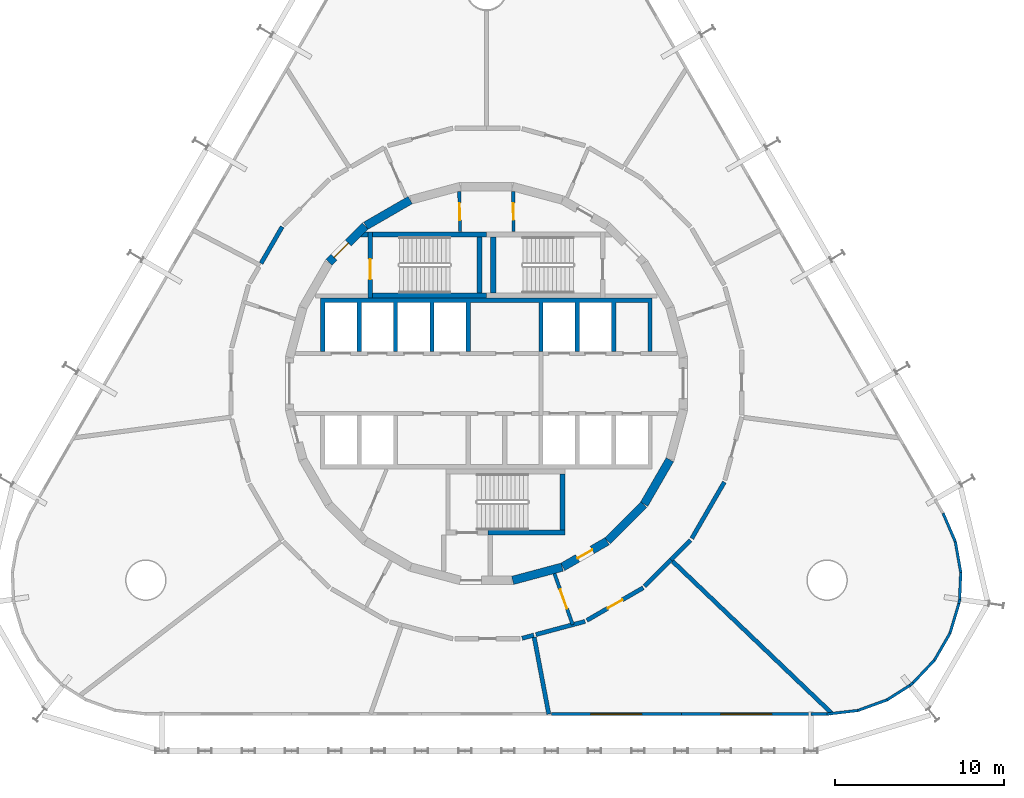
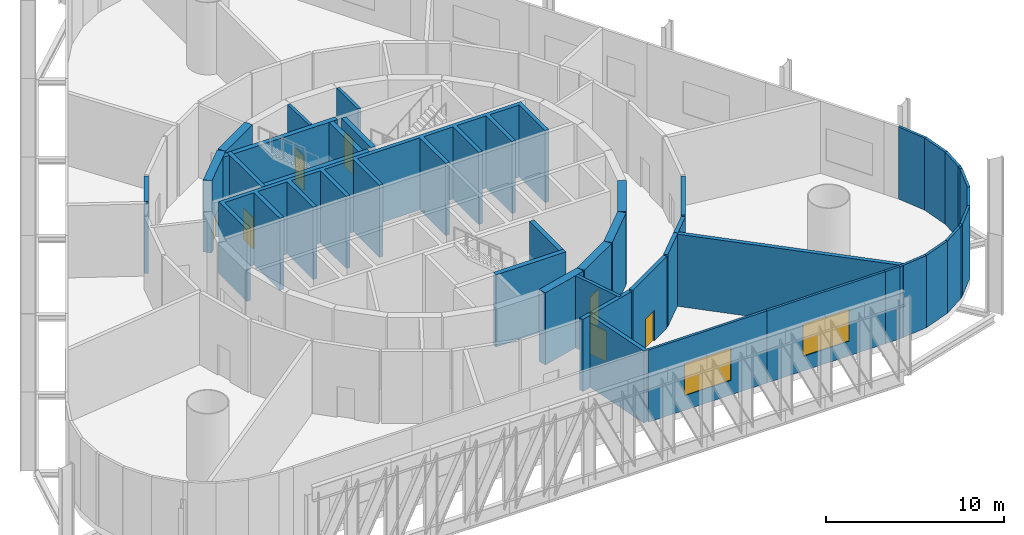
# One storey, part 7 of 11: 41 walls, 7 doors, 2 windows, 9 openings.
"""IFC4 building model written with IfcOpenShell, lengths in metres."""

from ifc_helpers import new_model, si_unit, direction, frame, frame_2d, origin, place, context, subcontext, project, spatial, polyline, rectangle, outline, extrude, material, layer, layer_set, type_object, element, fill, save


model = new_model("IFC4")

# Units and contexts
model_context = context("Model", 3, precision=1e-05, world=origin(), true_north=direction((0.0, 1.0)))
body_context = subcontext(model_context, "Body", "Model", "MODEL_VIEW")
ifc_project = project(units=[si_unit("LENGTHUNIT", "METRE"), si_unit("AREAUNIT", "SQUARE_METRE"), si_unit("VOLUMEUNIT", "CUBIC_METRE"), si_unit("PLANEANGLEUNIT", "RADIAN"), si_unit("MASSUNIT", "GRAM", prefix="KILO")], contexts=[model_context])

# Site, building, storey
site_placement = place(None, origin())
site = spatial("IfcSite", under=ifc_project, at=site_placement, CompositionType="ELEMENT")
building_placement = place(site_placement, origin())
building = spatial("IfcBuilding", under=site, at=building_placement, Name="Spindle Arch Residences", CompositionType="ELEMENT")
storey_placement = place(building_placement, frame((0.0, 0.0, 33.0)))
storey = spatial("IfcBuildingStorey", under=building, at=storey_placement, Name="L06", CompositionType="ELEMENT", Elevation=33.0)

# Wall
ifc_material_1 = material(Name="Concrete C50/60", Category="concrete")
ifc_layer_1 = layer(ifc_material_1, 0.5)
ifc_layer_set_1 = layer_set([ifc_layer_1], Name="Core outline wall 500")
wall_type_1 = type_object("IfcWallType", Name="Core outline wall 500", PredefinedType="SHEAR", material=ifc_layer_set_1)
wall_1_placement = place(storey_placement, frame((1.5498046875, -11.642822265625, 0.0), z_axis=(0.0, 0.0, 1.0), x_axis=(0.965948410781, 0.258734743916, 0.0)))
element("IfcWall", 1, at=wall_1_placement, inside=storey, type_object=wall_type_1, Name="Core outline wall 1", PredefinedType="SHEAR", context=body_context, shape_type="SweptSolid", body=[
    extrude(rectangle(XDim=3.03271484375, YDim=0.5, at=frame_2d((1.516357421875, 0.0))), origin(), (0.0, 0.0, 1.0), 4.949951171875),
])

# Wall, opening, door
wall_2_placement = place(storey_placement, frame((4.510498046875, -10.84521484375, 0.0), z_axis=(0.0, 0.0, 1.0), x_axis=(0.865975092491, 0.500087131594, 0.0)))
wall_2 = element("IfcWall", 2, at=wall_2_placement, inside=storey, type_object=wall_type_1, Name="Core outline wall 2", PredefinedType="SHEAR", context=body_context, shape_type="SweptSolid", body=[
    extrude(rectangle(XDim=3.03271484375, YDim=0.5, at=frame_2d((1.516357421875, 0.0))), origin(), (0.0, 0.0, 1.0), 4.949951171875),
])
opening_1_placement = place(wall_2_placement, frame((1.016357421875, 0.0, 0.0)))
opening_1 = element("IfcOpeningElement", 3, at=opening_1_placement, cuts=wall_2, Name="Opening L06-PD09", PredefinedType="OPENING", context=body_context, shape_type="SweptSolid", body=[
    extrude(rectangle(XDim=1.0, YDim=2.39990234375, at=frame_2d((0.5, 1.199951171875))), frame((0.0, 0.260009765625, 0.0), z_axis=(0.0, -1.0, 0.0), x_axis=(1.0, 0.0, 0.0)), (0.0, 0.0, 1.0), 0.52001953125),
])
ifc_material_2 = material(Name="Steel, fire-resisting door", Category="steel")
door_type_1 = type_object("IfcDoorType", Name="Plant room door 1000x2400", OperationType="SINGLE_SWING_LEFT", PredefinedType="DOOR", material=ifc_material_2)
door_1_placement = place(opening_1_placement, origin())
door_1 = element("IfcDoor", 4, at=door_1_placement, inside=storey, type_object=door_type_1, Name="Plant room door L06-PD09", OperationType="SINGLE_SWING_RIGHT", OverallHeight=2.39990234375, OverallWidth=1.0, PredefinedType="DOOR", context=body_context, shape_type="SweptSolid", body=[
    extrude(rectangle(XDim=1.0, YDim=2.39990234375, at=frame_2d((0.5, 1.199951171875))), frame((0.0, 0.02490234375, 0.0), z_axis=(0.0, -1.0, 0.0), x_axis=(1.0, 0.0, 0.0)), (0.0, 0.0, 1.0), 0.050048828125),
])
fill(opening_1, door_1)

# Walls
wall_3_placement = place(storey_placement, frame((7.163818359375, -9.30810546875, 0.0), z_axis=(0.0, 0.0, 1.0), x_axis=(0.707106781187, 0.707106781187, 0.0)))
element("IfcWall", 5, at=wall_3_placement, inside=storey, type_object=wall_type_1, Name="Core outline wall 3", PredefinedType="SHEAR", context=body_context, shape_type="SweptSolid", body=[
    extrude(rectangle(XDim=3.032470703125, YDim=0.5, at=frame_2d((1.51611328125, 0.0))), origin(), (0.0, 0.0, 1.0), 4.949951171875),
])
for number, where, z_axis, x_axis, name in (
    (6, (9.32861328125, -7.13671875, 0.0), (0.0, 0.0, 1.0), (0.500087131594, 0.865975092491, 0.0), "Core outline wall 4"),
    (7, (-4.510498046875, 10.84521484375, 0.0), (0.0, 0.0, 1.0), (-0.865975092491, -0.500087131594, 0.0), "Core outline wall 14"),
):
    element("IfcWall", number, at=place(storey_placement, frame(where, z_axis=z_axis, x_axis=x_axis)), inside=storey, type_object=wall_type_1, Name=name, PredefinedType="SHEAR", context=body_context, shape_type="SweptSolid", body=[
        extrude(rectangle(XDim=3.03271484375, YDim=0.5, at=frame_2d((1.516357421875, 0.0))), origin(), (0.0, 0.0, 1.0), 4.949951171875),
    ])

# Wall, opening, door
wall_4_placement = place(storey_placement, frame((-7.163818359375, 9.30810546875, 0.0), z_axis=(0.0, 0.0, 1.0), x_axis=(-0.707106781187, -0.707106781187, 0.0)))
wall_4 = element("IfcWall", 8, at=wall_4_placement, inside=storey, type_object=wall_type_1, Name="Core outline wall 15", PredefinedType="SHEAR", context=body_context, shape_type="SweptSolid", body=[
    extrude(rectangle(XDim=3.032470703125, YDim=0.5, at=frame_2d((1.51611328125, 0.0))), origin(), (0.0, 0.0, 1.0), 4.949951171875),
])
opening_2_placement = place(wall_4_placement, frame((1.416259765625, 0.0, 0.0)))
opening_2 = element("IfcOpeningElement", 9, at=opening_2_placement, cuts=wall_4, Name="Opening L06-AD02", PredefinedType="OPENING", context=body_context, shape_type="SweptSolid", body=[
    extrude(rectangle(XDim=1.199951171875, YDim=2.10009765625, at=frame_2d((0.60009765625, 1.050048828125))), frame((0.0, 0.260009765625, 0.0), z_axis=(0.0, -1.0, 0.0), x_axis=(1.0, 0.0, 0.0)), (0.0, 0.0, 1.0), 0.52001953125),
])
ifc_material_3 = material(Name="Steel, fire-resisting door", Category="steel")
door_type_2 = type_object("IfcDoorType", Name="Stair airlock door 1200x2100", OperationType="SINGLE_SWING_LEFT", PredefinedType="DOOR", material=ifc_material_3)
door_2_placement = place(opening_2_placement, origin())
door_2 = element("IfcDoor", 10, at=door_2_placement, inside=storey, type_object=door_type_2, Name="Stair airlock door L06-AD02", OperationType="SINGLE_SWING_RIGHT", OverallHeight=2.10009765625, OverallWidth=1.199951171875, PredefinedType="DOOR", context=body_context, shape_type="SweptSolid", body=[
    extrude(rectangle(XDim=1.199951171875, YDim=2.10009765625, at=frame_2d((0.60009765625, 1.050048828125))), frame((0.0, 0.02490234375, 0.0), z_axis=(0.0, -1.0, 0.0), x_axis=(1.0, 0.0, 0.0)), (0.0, 0.0, 1.0), 0.050048828125),
])
fill(opening_2, door_2)

# Wall, opening, window
ifc_material_4 = material(Name="Non-combustible mineral wool insulated aluminium faced external wall (K0)", Category="aluminium")
ifc_layer_2 = layer(ifc_material_4, 0.159912109375)
ifc_layer_set_2 = layer_set([ifc_layer_2], Name="Insulated external wall panel 160")
wall_type_2 = type_object("IfcWallType", Name="Insulated external wall panel 160", PredefinedType="STANDARD", material=ifc_layer_set_2)
wall_5_placement = place(storey_placement, frame((3.840087890625, -19.5498046875, 0.0), z_axis=(0.0, 0.0, 1.0), x_axis=(1.0, 0.0, 0.0)))
wall_5 = element("IfcWall", 11, at=wall_5_placement, inside=storey, type_object=wall_type_2, Name="Plant wall L06 bay 1", PredefinedType="STANDARD", context=body_context, shape_type="SweptSolid", body=[
    extrude(rectangle(XDim=7.679931640625, YDim=0.159912109375, at=frame_2d((3.83984375, 0.0))), origin(), (0.0, 0.0, 1.0), 4.949951171875),
])
opening_3_placement = place(wall_5_placement, frame((2.340087890625, 0.0, 1.0)))
opening_3 = element("IfcOpeningElement", 12, at=opening_3_placement, cuts=wall_5, Name="Opening LW1", PredefinedType="OPENING", context=body_context, shape_type="SweptSolid", body=[
    extrude(rectangle(XDim=3.0, YDim=2.199951171875, at=frame_2d((1.5, 1.10009765625))), frame((0.0, 0.08984375, 0.0), z_axis=(0.0, -1.0, 0.0), x_axis=(1.0, 0.0, 0.0)), (0.0, 0.0, 1.0), 0.179931640625),
])
ifc_material_5 = material(Name="Bronze anodised aluminium fixed louvre", Category="aluminium")
window_type = type_object("IfcWindowType", Name="Plant louvre opening 3000x2200", PartitioningType="SINGLE_PANEL", PredefinedType="WINDOW", material=ifc_material_5)
window_1_placement = place(opening_3_placement, origin())
window_1 = element("IfcWindow", 13, at=window_1_placement, inside=storey, type_object=window_type, Name="Louvre opening L06 bay 1.1", OverallHeight=2.199951171875, OverallWidth=3.0, PartitioningType="SINGLE_PANEL", PredefinedType="WINDOW", context=body_context, shape_type="SweptSolid", body=[
    extrude(rectangle(XDim=3.0, YDim=2.199951171875, at=frame_2d((1.5, 1.10009765625))), frame((0.0, 0.030029296875, 0.0), z_axis=(0.0, -1.0, 0.0), x_axis=(1.0, 0.0, 0.0)), (0.0, 0.0, 1.0), 0.06005859375),
])
fill(opening_3, window_1)

wall_6_placement = place(storey_placement, frame((11.52001953125, -19.5498046875, 0.0), z_axis=(0.0, 0.0, 1.0), x_axis=(1.0, 0.0, 0.0)))
wall_6 = element("IfcWall", 14, at=wall_6_placement, inside=storey, type_object=wall_type_2, Name="Plant wall L06 bay 2", PredefinedType="STANDARD", context=body_context, shape_type="SweptSolid", body=[
    extrude(rectangle(XDim=7.68017578125, YDim=0.159912109375, at=frame_2d((3.840087890625, 0.0))), origin(), (0.0, 0.0, 1.0), 4.949951171875),
])
opening_4_placement = place(wall_6_placement, frame((2.340087890625, 0.0, 1.0)))
opening_4 = element("IfcOpeningElement", 15, at=opening_4_placement, cuts=wall_6, Name="Opening LW1", PredefinedType="OPENING", context=body_context, shape_type="SweptSolid", body=[
    extrude(rectangle(XDim=3.0, YDim=2.199951171875, at=frame_2d((1.5, 1.10009765625))), frame((0.0, 0.08984375, 0.0), z_axis=(0.0, -1.0, 0.0), x_axis=(1.0, 0.0, 0.0)), (0.0, 0.0, 1.0), 0.179931640625),
])
window_2_placement = place(opening_4_placement, origin())
window_2 = element("IfcWindow", 16, at=window_2_placement, inside=storey, type_object=window_type, Name="Louvre opening L06 bay 2.1", OverallHeight=2.199951171875, OverallWidth=3.0, PartitioningType="SINGLE_PANEL", PredefinedType="WINDOW", context=body_context, shape_type="SweptSolid", body=[
    extrude(rectangle(XDim=3.0, YDim=2.199951171875, at=frame_2d((1.5, 1.10009765625))), frame((0.0, 0.030029296875, 0.0), z_axis=(0.0, -1.0, 0.0), x_axis=(1.0, 0.0, 0.0)), (0.0, 0.0, 1.0), 0.06005859375),
])
fill(opening_4, window_2)

# Walls
wall_7_placement = place(storey_placement, frame((19.2001953125, -19.5498046875, 0.0), z_axis=(0.0, 0.0, 1.0), x_axis=(1.0, 0.0, 0.0)))
element("IfcWall", 17, at=wall_7_placement, inside=storey, type_object=wall_type_2, Name="Plant wall L06 bay 3.1", PredefinedType="STANDARD", context=body_context, shape_type="SweptSolid", body=[
    extrude(rectangle(XDim=0.94580078125, YDim=0.159912109375, at=frame_2d((0.472900390625, 0.0))), origin(), (0.0, 0.0, 1.0), 4.949951171875),
])
wall_8_placement = place(storey_placement, frame((20.141357421875, -19.55029296875, 0.0), z_axis=(0.0, 0.0, 1.0), x_axis=(0.993233418606, 0.116135163342, 0.0)))
element("IfcWall", 18, at=wall_8_placement, inside=storey, type_object=wall_type_2, Name="Plant wall L06 bay 3.2", PredefinedType="STANDARD", context=body_context, shape_type="SweptSolid", body=[
    extrude(rectangle(XDim=1.845703125, YDim=0.159912109375, at=frame_2d((0.9228515625, 0.0))), origin(), (0.0, 0.0, 1.0), 4.949951171875),
])
wall_9_placement = place(storey_placement, frame((21.9658203125, -19.337890625, 0.0), z_axis=(0.0, 0.0, 1.0), x_axis=(0.939716242701, 0.341955235673, 0.0)))
element("IfcWall", 19, at=wall_9_placement, inside=storey, type_object=wall_type_2, Name="Plant wall L06 bay 3.3", PredefinedType="STANDARD", context=body_context, shape_type="SweptSolid", body=[
    extrude(rectangle(XDim=1.84765625, YDim=0.159912109375, at=frame_2d((0.923828125, 0.0))), origin(), (0.0, 0.0, 1.0), 4.949951171875),
])
wall_10_placement = place(storey_placement, frame((23.6943359375, -18.709716796875, 0.0), z_axis=(0.0, 0.0, 1.0), x_axis=(0.844000986035, 0.536341622076, 0.0)))
element("IfcWall", 20, at=wall_10_placement, inside=storey, type_object=wall_type_2, Name="Plant wall L06 bay 3.4", PredefinedType="STANDARD", context=body_context, shape_type="SweptSolid", body=[
    extrude(rectangle(XDim=1.59814453125, YDim=0.159912109375, at=frame_2d((0.799072265625, 0.0))), origin(), (0.0, 0.0, 1.0), 4.949951171875),
])
wall_11_placement = place(storey_placement, frame((25.043212890625, -17.8525390625, 0.0), z_axis=(0.0, 0.0, 1.0), x_axis=(0.775874220568, 0.630887623795, 0.0)))
element("IfcWall", 21, at=wall_11_placement, inside=storey, type_object=wall_type_2, Name="Plant wall L06 bay 4.1", PredefinedType="STANDARD", context=body_context, shape_type="SweptSolid", body=[
    extrude(rectangle(XDim=0.249267578125, YDim=0.159912109375, at=frame_2d((0.12451171875, 0.0))), origin(), (0.0, 0.0, 1.0), 4.949951171875),
])
wall_12_placement = place(storey_placement, frame((25.232666015625, -17.698974609375, 0.0), z_axis=(0.0, 0.0, 1.0), x_axis=(0.686176861491, 0.727434749482, 0.0)))
element("IfcWall", 22, at=wall_12_placement, inside=storey, type_object=wall_type_2, Name="Plant wall L06 bay 4.2", PredefinedType="STANDARD", context=body_context, shape_type="SweptSolid", body=[
    extrude(rectangle(XDim=1.84619140625, YDim=0.159912109375, at=frame_2d((0.923095703125, 0.0))), origin(), (0.0, 0.0, 1.0), 4.949951171875),
])
wall_13_placement = place(storey_placement, frame((26.494140625, -16.363525390625, 0.0), z_axis=(0.0, 0.0, 1.0), x_axis=(0.499932070267, 0.866064619482, 0.0)))
element("IfcWall", 23, at=wall_13_placement, inside=storey, type_object=wall_type_2, Name="Plant wall L06 bay 4.3", PredefinedType="STANDARD", context=body_context, shape_type="SweptSolid", body=[
    extrude(rectangle(XDim=1.848388671875, YDim=0.159912109375, at=frame_2d((0.92431640625, 0.0))), origin(), (0.0, 0.0, 1.0), 4.949951171875),
])
wall_14_placement = place(storey_placement, frame((27.41455078125, -14.771240234375, 0.0), z_axis=(0.0, 0.0, 1.0), x_axis=(0.286838279013, 0.957979019443, 0.0)))
element("IfcWall", 24, at=wall_14_placement, inside=storey, type_object=wall_type_2, Name="Plant wall L06 bay 4.4", PredefinedType="STANDARD", context=body_context, shape_type="SweptSolid", body=[
    extrude(rectangle(XDim=1.84619140625, YDim=0.159912109375, at=frame_2d((0.923095703125, 0.0))), origin(), (0.0, 0.0, 1.0), 4.949951171875),
])
wall_15_placement = place(storey_placement, frame((27.94287109375, -13.0078125, 0.0), z_axis=(0.0, 0.0, 1.0), x_axis=(0.158678095384, 0.987330371277, 0.0)))
element("IfcWall", 25, at=wall_15_placement, inside=storey, type_object=wall_type_2, Name="Plant wall L06 bay 4.5", PredefinedType="STANDARD", context=body_context, shape_type="SweptSolid", body=[
    extrude(rectangle(XDim=0.249267578125, YDim=0.159912109375, at=frame_2d((0.12451171875, 0.0))), origin(), (0.0, 0.0, 1.0), 4.949951171875),
])
wall_16_placement = place(storey_placement, frame((27.982421875, -12.76171875, 0.0), z_axis=(0.0, 0.0, 1.0), x_axis=(0.042469293695, 0.999097772539, 0.0)))
element("IfcWall", 26, at=wall_16_placement, inside=storey, type_object=wall_type_2, Name="Plant wall L06 bay 5.1", PredefinedType="STANDARD", context=body_context, shape_type="SweptSolid", body=[
    extrude(rectangle(XDim=1.59814453125, YDim=0.159912109375, at=frame_2d((0.799072265625, 0.0))), origin(), (0.0, 0.0, 1.0), 4.949951171875),
])
wall_17_placement = place(storey_placement, frame((28.051025390625, -11.173583984375, 0.0), z_axis=(0.0, 0.0, 1.0), x_axis=(-0.173732575917, 0.984792867595, 0.0)))
element("IfcWall", 27, at=wall_17_placement, inside=storey, type_object=wall_type_2, Name="Plant wall L06 bay 5.2", PredefinedType="STANDARD", context=body_context, shape_type="SweptSolid", body=[
    extrude(rectangle(XDim=1.847900390625, YDim=0.159912109375, at=frame_2d((0.923828125, 0.0))), origin(), (0.0, 0.0, 1.0), 4.949951171875),
])
wall_18_placement = place(storey_placement, frame((27.732666015625, -9.36279296875, 0.0), z_axis=(0.0, 0.0, 1.0), x_axis=(-0.395977414549, 0.918260250238, 0.0)))
element("IfcWall", 28, at=wall_18_placement, inside=storey, type_object=wall_type_2, Name="Plant wall L06 bay 5.3", PredefinedType="STANDARD", context=body_context, shape_type="SweptSolid", body=[
    extrude(rectangle(XDim=1.845947265625, YDim=0.159912109375, at=frame_2d((0.9228515625, 0.0))), origin(), (0.0, 0.0, 1.0), 4.949951171875),
])
ifc_material_6 = material(Name="Concrete C50/60", Category="concrete")
wall_type_3 = type_object("IfcWallType", Name="Lift shaft wall profile", PredefinedType="SHEAR", material=ifc_material_6)
wall_19_placement = place(storey_placement, origin())
element("IfcWall", 29, at=wall_19_placement, inside=storey, type_object=wall_type_3, Name="Lift shaft walls N", PredefinedType="SHEAR", context=body_context, shape_type="SweptSolid", body=[
    extrude(outline(polyline([(-9.550048828125, 4.800048828125), (-7.64990234375, 4.800048828125), (-7.64990234375, 1.89990234375), (-7.39990234375, 1.89990234375), (-7.39990234375, 4.800048828125), (-5.5, 4.800048828125), (-5.5, 1.89990234375), (-5.25, 1.89990234375), (-5.25, 4.800048828125), (-3.35009765625, 4.800048828125), (-3.35009765625, 1.89990234375), (-3.10009765625, 1.89990234375), (-3.10009765625, 4.800048828125), (-1.199951171875, 4.800048828125), (-1.199951171875, 1.89990234375), (-0.949951171875, 1.89990234375), (-0.949951171875, 4.800048828125), (3.10009765625, 4.800048828125), (3.10009765625, 1.89990234375), (3.35009765625, 1.89990234375), (3.35009765625, 4.800048828125), (5.25, 4.800048828125), (5.25, 1.89990234375), (5.5, 1.89990234375), (5.5, 4.800048828125), (7.39990234375, 4.800048828125), (7.39990234375, 1.89990234375), (7.64990234375, 1.89990234375), (7.64990234375, 4.800048828125), (9.550048828125, 4.800048828125), (9.550048828125, 1.89990234375), (9.800048828125, 1.89990234375), (9.800048828125, 4.800048828125), (9.800048828125, 5.050048828125), (-9.800048828125, 5.050048828125), (-9.800048828125, 4.800048828125), (-9.800048828125, 1.89990234375), (-9.550048828125, 1.89990234375), (-9.550048828125, 4.800048828125)])), origin(), (0.0, 0.0, 1.0), 4.949951171875),
])
ifc_material_7 = material(Name="Concrete C25/30 wall", Category="concrete")
ifc_layer_3 = layer(ifc_material_7, 0.25)
ifc_layer_set_3 = layer_set([ifc_layer_3], Name="Partition EI 120 250 plant")
wall_type_4 = type_object("IfcWallType", Name="Partition EI 120 250 plant", PredefinedType="PARTITIONING", material=ifc_layer_set_3)
wall_20_placement = place(storey_placement, frame((2.920654296875, -14.84765625, 0.0), z_axis=(0.0, 0.0, 1.0), x_axis=(0.966090816863, 0.258202504969, 0.0)))
element("IfcWall", 30, at=wall_20_placement, inside=storey, type_object=wall_type_4, Name="L06-W031", PredefinedType="PARTITIONING", context=body_context, shape_type="SweptSolid", body=[
    extrude(rectangle(XDim=3.011474609375, YDim=0.25, at=frame_2d((1.505859375, 0.0))), origin(), (0.0, 0.0, 1.0), 4.949951171875),
])

# Wall, opening, door
wall_21_placement = place(storey_placement, frame((5.938232421875, -14.00732421875, 0.0), z_axis=(0.0, 0.0, 1.0), x_axis=(0.865615852585, 0.500708693508, 0.0)))
wall_21 = element("IfcWall", 31, at=wall_21_placement, inside=storey, type_object=wall_type_4, Name="L06-W034", PredefinedType="PARTITIONING", context=body_context, shape_type="SweptSolid", body=[
    extrude(rectangle(XDim=3.84912109375, YDim=0.25, at=frame_2d((1.924560546875, 0.0))), origin(), (0.0, 0.0, 1.0), 4.949951171875),
])
opening_5_placement = place(wall_21_placement, frame((1.424560546875, 0.0, 0.0)))
opening_5 = element("IfcOpeningElement", 32, at=opening_5_placement, cuts=wall_21, Name="Opening L06-D02", PredefinedType="OPENING", context=body_context, shape_type="SweptSolid", body=[
    extrude(rectangle(XDim=1.0, YDim=2.10009765625, at=frame_2d((0.5, 1.050048828125))), frame((0.0, 0.135009765625, 0.0), z_axis=(0.0, -1.0, 0.0), x_axis=(1.0, 0.0, 0.0)), (0.0, 0.0, 1.0), 0.27001953125),
])
ifc_material_8 = material(Name="Steel door leaf, painted", Category="steel")
door_type_3 = type_object("IfcDoorType", Name="Door 1000x2100 EI 60", OperationType="SINGLE_SWING_LEFT", PredefinedType="DOOR", material=ifc_material_8)
door_3_placement = place(opening_5_placement, origin())
door_3 = element("IfcDoor", 33, at=door_3_placement, inside=storey, type_object=door_type_3, Name="L06-D02", OperationType="SINGLE_SWING_LEFT", OverallHeight=2.10009765625, OverallWidth=1.0, PredefinedType="DOOR", context=body_context, shape_type="SweptSolid", body=[
    extrude(rectangle(XDim=1.0, YDim=2.10009765625, at=frame_2d((0.5, 1.050048828125))), frame((0.0, 0.02490234375, 0.0), z_axis=(0.0, -1.0, 0.0), x_axis=(1.0, 0.0, 0.0)), (0.0, 0.0, 1.0), 0.050048828125),
])
fill(opening_5, door_3)

# Walls
wall_22_placement = place(storey_placement, frame((9.3583984375, -11.99169921875, 0.0), z_axis=(0.0, 0.0, 1.0), x_axis=(0.707051506082, 0.707162051971, 0.0)))
element("IfcWall", 34, at=wall_22_placement, inside=storey, type_object=wall_type_4, Name="L06-W038", PredefinedType="PARTITIONING", context=body_context, shape_type="SweptSolid", body=[
    extrude(rectangle(XDim=2.20849609375, YDim=0.25, at=frame_2d((1.104248046875, 0.0))), origin(), (0.0, 0.0, 1.0), 4.949951171875),
])
wall_23_placement = place(storey_placement, frame((10.919921875, -10.429931640625, 0.0), z_axis=(0.0, 0.0, 1.0), x_axis=(0.707181186066, 0.707032368477, 0.0)))
element("IfcWall", 35, at=wall_23_placement, inside=storey, type_object=wall_type_4, Name="L06-W040", PredefinedType="PARTITIONING", context=body_context, shape_type="SweptSolid", body=[
    extrude(rectangle(XDim=1.640625, YDim=0.25, at=frame_2d((0.8203125, 0.0))), origin(), (0.0, 0.0, 1.0), 4.949951171875),
])
wall_24_placement = place(storey_placement, frame((11.010498046875, -10.516357421875, 0.0), z_axis=(0.0, 0.0, 1.0), x_axis=(0.723132638847, -0.690709191074, 0.0)))
element("IfcWall", 36, at=wall_24_placement, inside=storey, type_object=wall_type_4, Name="L06-W041", PredefinedType="PARTITIONING", context=body_context, shape_type="SweptSolid", body=[
    extrude(rectangle(XDim=13.056640625, YDim=0.25, at=frame_2d((6.5283203125, 0.0))), origin(), (0.0, 0.0, 1.0), 4.949951171875),
])
wall_25_placement = place(storey_placement, frame((12.142578125, -9.161865234375, 0.0), z_axis=(0.0, 0.0, 1.0), x_axis=(0.500756218026, 0.865588360659, 0.0)))
element("IfcWall", 37, at=wall_25_placement, inside=storey, type_object=wall_type_4, Name="L06-W042", PredefinedType="PARTITIONING", context=body_context, shape_type="SweptSolid", body=[
    extrude(rectangle(XDim=3.84912109375, YDim=0.25, at=frame_2d((1.924560546875, 0.0))), origin(), (0.0, 0.0, 1.0), 4.949951171875),
])

# Wall, opening, door
ifc_material_9 = material(Name="Gypsum board partition on steel studs", Category="steel")
ifc_layer_4 = layer(ifc_material_9, 0.199951171875)
ifc_layer_set_4 = layer_set([ifc_layer_4], Name="Partition EI 60 200 amenity")
wall_type_5 = type_object("IfcWallType", Name="Partition EI 60 200 amenity", PredefinedType="PARTITIONING", material=ifc_layer_set_4)
wall_26_placement = place(storey_placement, frame((4.02001953125, -11.239990234375, 0.0), z_axis=(0.0, 0.0, 1.0), x_axis=(0.336751058688, -0.941593715183, 0.0)))
wall_26 = element("IfcWall", 38, at=wall_26_placement, inside=storey, type_object=wall_type_5, Name="L06-W032", PredefinedType="PARTITIONING", context=body_context, shape_type="SweptSolid", body=[
    extrude(rectangle(XDim=3.207275390625, YDim=0.199951171875, at=frame_2d((1.603515625, 0.0))), origin(), (0.0, 0.0, 1.0), 4.949951171875),
])
opening_6_placement = place(wall_26_placement, frame((1.003662109375, 0.0, 0.0)))
opening_6 = element("IfcOpeningElement", 39, at=opening_6_placement, cuts=wall_26, Name="Opening L06-D12", PredefinedType="OPENING", context=body_context, shape_type="SweptSolid", body=[
    extrude(rectangle(XDim=1.199951171875, YDim=2.10009765625, at=frame_2d((0.60009765625, 1.050048828125))), frame((0.0, 0.10986328125, 0.0), z_axis=(0.0, -1.0, 0.0), x_axis=(1.0, 0.0, 0.0)), (0.0, 0.0, 1.0), 0.219970703125),
])
ifc_material_10 = material(Name="Steel door leaf, painted", Category="steel")
door_type_4 = type_object("IfcDoorType", Name="Door 1200x2100 EI 60", OperationType="SINGLE_SWING_LEFT", PredefinedType="DOOR", material=ifc_material_10)
door_4_placement = place(opening_6_placement, origin())
door_4 = element("IfcDoor", 40, at=door_4_placement, inside=storey, type_object=door_type_4, Name="L06-D12", OperationType="SINGLE_SWING_LEFT", OverallHeight=2.10009765625, OverallWidth=1.199951171875, PredefinedType="DOOR", context=body_context, shape_type="SweptSolid", body=[
    extrude(rectangle(XDim=1.199951171875, YDim=2.10009765625, at=frame_2d((0.60009765625, 1.050048828125))), frame((0.0, 0.02490234375, 0.0), z_axis=(0.0, -1.0, 0.0), x_axis=(1.0, 0.0, 0.0)), (0.0, 0.0, 1.0), 0.050048828125),
])
fill(opening_6, door_4)

# Walls
ifc_material_11 = material(Name="Concrete C25/30 wall", Category="concrete")
ifc_layer_5 = layer(ifc_material_11, 0.25)
ifc_layer_set_5 = layer_set([ifc_layer_5], Name="Partition REI 120 250 refuge")
wall_type_6 = type_object("IfcWallType", Name="Partition REI 120 250 refuge", PredefinedType="PARTITIONING", material=ifc_layer_set_5)
wall_27_placement = place(storey_placement, frame((-12.080078125, 9.27001953125, 0.0), z_axis=(0.0, 0.0, 1.0), x_axis=(-0.499821239653, -0.866128586522, 0.0)))
element("IfcWall", 41, at=wall_27_placement, inside=storey, type_object=wall_type_6, Name="L06-W010", PredefinedType="PARTITIONING", context=body_context, shape_type="SweptSolid", body=[
    extrude(rectangle(XDim=2.49609375, YDim=0.25, at=frame_2d((1.248046875, 0.0))), origin(), (0.0, 0.0, 1.0), 4.949951171875),
])
wall_28_placement = place(storey_placement, frame((2.110595703125, -15.067138671875, 0.0), z_axis=(0.0, 0.0, 1.0), x_axis=(0.965039301335, 0.262105221007, 0.0)))
element("IfcWall", 42, at=wall_28_placement, inside=storey, type_object=wall_type_6, Name="L06-W028", PredefinedType="PARTITIONING", context=body_context, shape_type="SweptSolid", body=[
    extrude(rectangle(XDim=0.71435546875, YDim=0.25, at=frame_2d((0.357177734375, 0.0))), origin(), (0.0, 0.0, 1.0), 4.949951171875),
])
wall_29_placement = place(storey_placement, frame((2.8232421875, -15.0029296875, 0.0), z_axis=(0.0, 0.0, 1.0), x_axis=(0.186157236823, -0.982519965791, 0.0)))
element("IfcWall", 43, at=wall_29_placement, inside=storey, type_object=wall_type_6, Name="L06-W030", PredefinedType="PARTITIONING", context=body_context, shape_type="SweptSolid", body=[
    extrude(rectangle(XDim=4.62939453125, YDim=0.25, at=frame_2d((2.314697265625, 0.0))), origin(), (0.0, 0.0, 1.0), 4.949951171875),
])

# Wall, opening, door
ifc_material_12 = material(Name="Concrete C25/30", Category="concrete")
ifc_layer_6 = layer(ifc_material_12, 0.18994140625)
ifc_layer_set_6 = layer_set([ifc_layer_6], Name="Plant room partition 190")
wall_type_7 = type_object("IfcWallType", Name="Plant room partition 190", PredefinedType="PARTITIONING", material=ifc_layer_set_6)
wall_30_placement = place(storey_placement, frame((1.585693359375, 11.3544921875, 0.0), z_axis=(0.0, 0.0, 1.0), x_axis=(0.007227482881, -0.999973881405, 0.0)))
wall_30 = element("IfcWall", 44, at=wall_30_placement, inside=storey, type_object=wall_type_7, Name="Core plant room partition", PredefinedType="PARTITIONING", context=body_context, shape_type="SweptSolid", body=[
    extrude(rectangle(XDim=2.364501953125, YDim=0.18994140625, at=frame_2d((1.18212890625, 0.0))), origin(), (0.0, 0.0, 1.0), 4.949951171875),
])
opening_7_placement = place(wall_30_placement, frame((0.68212890625, 0.0, 0.0)))
opening_7 = element("IfcOpeningElement", 45, at=opening_7_placement, cuts=wall_30, Name="Opening L06-PD07", PredefinedType="OPENING", context=body_context, shape_type="SweptSolid", body=[
    extrude(rectangle(XDim=1.0, YDim=2.39990234375, at=frame_2d((0.5, 1.199951171875))), frame((0.0, 0.10498046875, 0.0), z_axis=(0.0, -1.0, 0.0), x_axis=(1.0, 0.0, 0.0)), (0.0, 0.0, 1.0), 0.2099609375),
])
door_5_placement = place(opening_7_placement, origin())
door_5 = element("IfcDoor", 46, at=door_5_placement, inside=storey, type_object=door_type_1, Name="Plant room door L06-PD07", OperationType="SINGLE_SWING_RIGHT", OverallHeight=2.39990234375, OverallWidth=1.0, PredefinedType="DOOR", context=body_context, shape_type="SweptSolid", body=[
    extrude(rectangle(XDim=1.0, YDim=2.39990234375, at=frame_2d((0.5, 1.199951171875))), frame((0.0, 0.02490234375, 0.0), z_axis=(0.0, -1.0, 0.0), x_axis=(1.0, 0.0, 0.0)), (0.0, 0.0, 1.0), 0.050048828125),
])
fill(opening_7, door_5)

wall_31_placement = place(storey_placement, frame((-1.555419921875, 8.989990234375, 0.0), z_axis=(0.0, 0.0, 1.0), x_axis=(-0.024125549686, 0.999708936567, 0.0)))
wall_31 = element("IfcWall", 47, at=wall_31_placement, inside=storey, type_object=wall_type_7, Name="Core plant room partition", PredefinedType="PARTITIONING", context=body_context, shape_type="SweptSolid", body=[
    extrude(rectangle(XDim=2.35791015625, YDim=0.18994140625, at=frame_2d((1.178955078125, 0.0))), origin(), (0.0, 0.0, 1.0), 4.949951171875),
])
opening_8_placement = place(wall_31_placement, frame((0.678955078125, 0.0, 0.0)))
opening_8 = element("IfcOpeningElement", 48, at=opening_8_placement, cuts=wall_31, Name="Opening L06-PD08", PredefinedType="OPENING", context=body_context, shape_type="SweptSolid", body=[
    extrude(rectangle(XDim=1.0, YDim=2.39990234375, at=frame_2d((0.5, 1.199951171875))), frame((0.0, 0.10498046875, 0.0), z_axis=(0.0, -1.0, 0.0), x_axis=(1.0, 0.0, 0.0)), (0.0, 0.0, 1.0), 0.2099609375),
])
door_6_placement = place(opening_8_placement, origin())
door_6 = element("IfcDoor", 49, at=door_6_placement, inside=storey, type_object=door_type_1, Name="Plant room door L06-PD08", OperationType="SINGLE_SWING_LEFT", OverallHeight=2.39990234375, OverallWidth=1.0, PredefinedType="DOOR", context=body_context, shape_type="SweptSolid", body=[
    extrude(rectangle(XDim=1.0, YDim=2.39990234375, at=frame_2d((0.5, 1.199951171875))), frame((0.0, 0.02490234375, 0.0), z_axis=(0.0, -1.0, 0.0), x_axis=(1.0, 0.0, 0.0)), (0.0, 0.0, 1.0), 0.050048828125),
])
fill(opening_8, door_6)

# Wall
ifc_material_13 = material(Name="Concrete C40/50", Category="concrete")
wall_type_8 = type_object("IfcWallType", Name="Stair airlock wall profile", PredefinedType="SHEAR", material=ifc_material_13)
wall_32_placement = place(storey_placement, origin())
element("IfcWall", 50, at=wall_32_placement, inside=storey, type_object=wall_type_8, Name="Stair ST-2 airlock wall N", PredefinedType="SHEAR", context=body_context, shape_type="SweptSolid", body=[
    extrude(outline(polyline([(-7.148193359375, 8.969970703125), (-7.0, 8.969970703125), (-7.0, 8.669921875), (-7.4482421875, 8.669921875), (-7.148193359375, 8.969970703125)])), origin(), (0.0, 0.0, 1.0), 4.949951171875),
])

# Wall, opening, door
ifc_material_14 = material(Name="Concrete C50/60", Category="concrete")
ifc_layer_7 = layer(ifc_material_14, 0.25)
ifc_layer_set_7 = layer_set([ifc_layer_7], Name="Stair enclosure wall 250")
wall_type_9 = type_object("IfcWallType", Name="Stair enclosure wall 250", PredefinedType="SHEAR", material=ifc_layer_set_7)
wall_33_placement = place(storey_placement, frame((-6.875, 8.969970703125, 0.0), z_axis=(0.0, 0.0, 1.0), x_axis=(0.0, -1.0, 0.0)))
wall_33 = element("IfcWall", 51, at=wall_33_placement, inside=storey, type_object=wall_type_9, Name="Stair ST-2 door wall", PredefinedType="SHEAR", context=body_context, shape_type="SweptSolid", body=[
    extrude(rectangle(XDim=3.919921875, YDim=0.25, at=frame_2d((1.9599609375, 0.0))), origin(), (0.0, 0.0, 1.0), 4.949951171875),
])
opening_9_placement = place(wall_33_placement, frame((1.610107421875, 0.0, 0.0)))
opening_9 = element("IfcOpeningElement", 52, at=opening_9_placement, cuts=wall_33, Name="Opening L06-SD02", PredefinedType="OPENING", context=body_context, shape_type="SweptSolid", body=[
    extrude(rectangle(XDim=1.199951171875, YDim=2.10009765625, at=frame_2d((0.60009765625, 1.050048828125))), frame((0.0, 0.135009765625, 0.0), z_axis=(0.0, -1.0, 0.0), x_axis=(1.0, 0.0, 0.0)), (0.0, 0.0, 1.0), 0.27001953125),
])
ifc_material_15 = material(Name="Steel, fire-resisting door", Category="steel")
door_type_5 = type_object("IfcDoorType", Name="Stair door 1200x2100", OperationType="SINGLE_SWING_RIGHT", PredefinedType="DOOR", material=ifc_material_15)
door_7_placement = place(opening_9_placement, origin())
door_7 = element("IfcDoor", 53, at=door_7_placement, inside=storey, type_object=door_type_5, Name="Stair door L06-SD02", OperationType="SINGLE_SWING_LEFT", OverallHeight=2.10009765625, OverallWidth=1.199951171875, PredefinedType="DOOR", context=body_context, shape_type="SweptSolid", body=[
    extrude(rectangle(XDim=1.199951171875, YDim=2.10009765625, at=frame_2d((0.60009765625, 1.050048828125))), frame((0.0, 0.02490234375, 0.0), z_axis=(0.0, -1.0, 0.0), x_axis=(1.0, 0.0, 0.0)), (0.0, 0.0, 1.0), 0.050048828125),
])
fill(opening_9, door_7)

# Walls
ifc_material_16 = material(Name="Concrete C50/60", Category="concrete")
ifc_layer_8 = layer(ifc_material_16, 0.300048828125)
ifc_layer_set_8 = layer_set([ifc_layer_8], Name="Stair enclosure wall 300")
wall_type_10 = type_object("IfcWallType", Name="Stair enclosure wall 300", PredefinedType="SHEAR", material=ifc_layer_set_8)
wall_34_placement = place(storey_placement, frame((0.39990234375, 5.35009765625, 0.0), z_axis=(0.0, 0.0, 1.0), x_axis=(0.0, 1.0, 0.0)))
element("IfcWall", 54, at=wall_34_placement, inside=storey, type_object=wall_type_10, Name="Stair ST-1 enclosure wall F", PredefinedType="SHEAR", context=body_context, shape_type="SweptSolid", body=[
    extrude(rectangle(XDim=3.31982421875, YDim=0.300048828125, at=frame_2d((1.659912109375, 0.0))), origin(), (0.0, 0.0, 1.0), 4.949951171875),
])
for number, where, z_axis, x_axis, name in (
    (55, (-6.75, 5.199951171875, 0.0), (0.0, 0.0, 1.0), (1.0, 0.0, 0.0), "Stair ST-2 enclosure wall S"),
    (56, (-6.75, 8.820068359375, 0.0), (0.0, 0.0, 1.0), (1.0, 0.0, 0.0), "Stair ST-2 enclosure wall N"),
):
    element("IfcWall", number, at=place(storey_placement, frame(where, z_axis=z_axis, x_axis=x_axis)), inside=storey, type_object=wall_type_10, Name=name, PredefinedType="SHEAR", context=body_context, shape_type="SweptSolid", body=[
        extrude(rectangle(XDim=6.75, YDim=0.300048828125, at=frame_2d((3.375, 0.0))), origin(), (0.0, 0.0, 1.0), 4.949951171875),
    ])
for number, where, z_axis, x_axis, name in (
    (57, (-0.39990234375, 5.35009765625, 0.0), (0.0, 0.0, 1.0), (0.0, 1.0, 0.0), "Stair ST-2 enclosure wall F"),
    (58, (4.5, -8.669921875, 0.0), (0.0, 0.0, 1.0), (0.0, 1.0, 0.0), "Stair ST-3 enclosure wall E"),
):
    element("IfcWall", number, at=place(storey_placement, frame(where, z_axis=z_axis, x_axis=x_axis)), inside=storey, type_object=wall_type_10, Name=name, PredefinedType="SHEAR", context=body_context, shape_type="SweptSolid", body=[
        extrude(rectangle(XDim=3.31982421875, YDim=0.300048828125, at=frame_2d((1.659912109375, 0.0))), origin(), (0.0, 0.0, 1.0), 4.949951171875),
    ])
wall_35_placement = place(storey_placement, frame((0.10009765625, -8.820068359375, 0.0), z_axis=(0.0, 0.0, 1.0), x_axis=(1.0, 0.0, 0.0)))
element("IfcWall", 59, at=wall_35_placement, inside=storey, type_object=wall_type_10, Name="Stair ST-3 enclosure wall S", PredefinedType="SHEAR", context=body_context, shape_type="SweptSolid", body=[
    extrude(rectangle(XDim=4.5498046875, YDim=0.300048828125, at=frame_2d((2.27490234375, 0.0))), origin(), (0.0, 0.0, 1.0), 4.949951171875),
])

save(model, "model.ifc")
